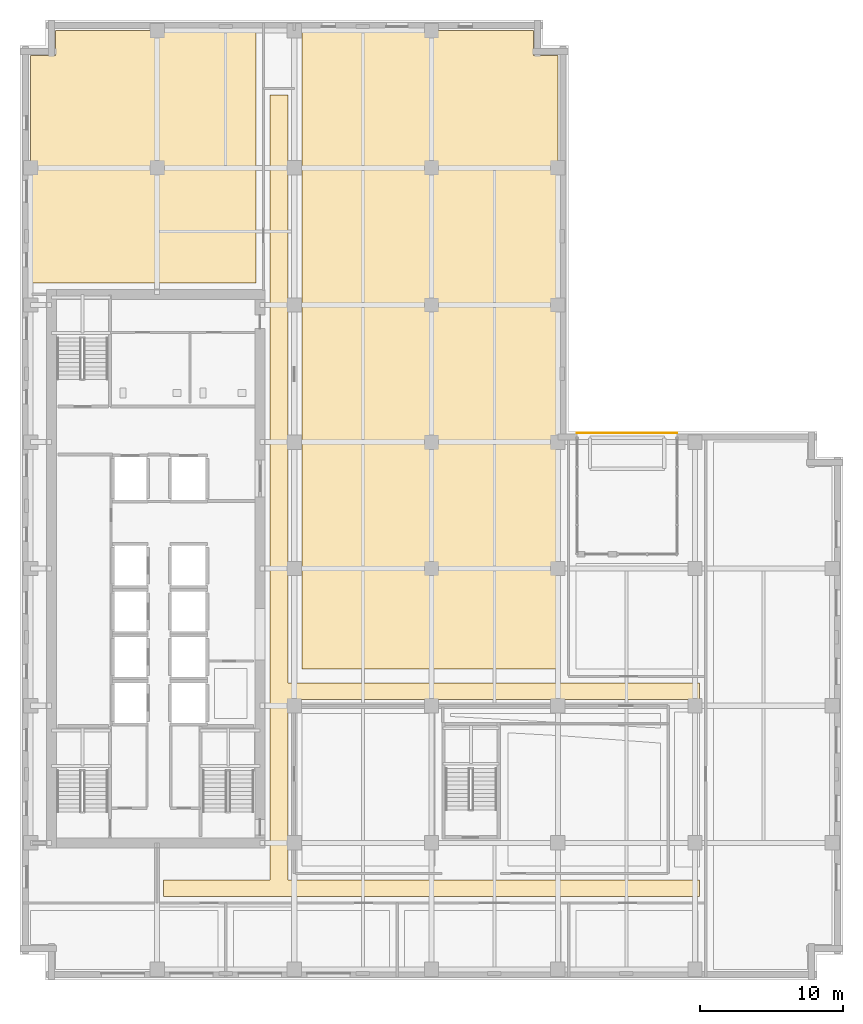
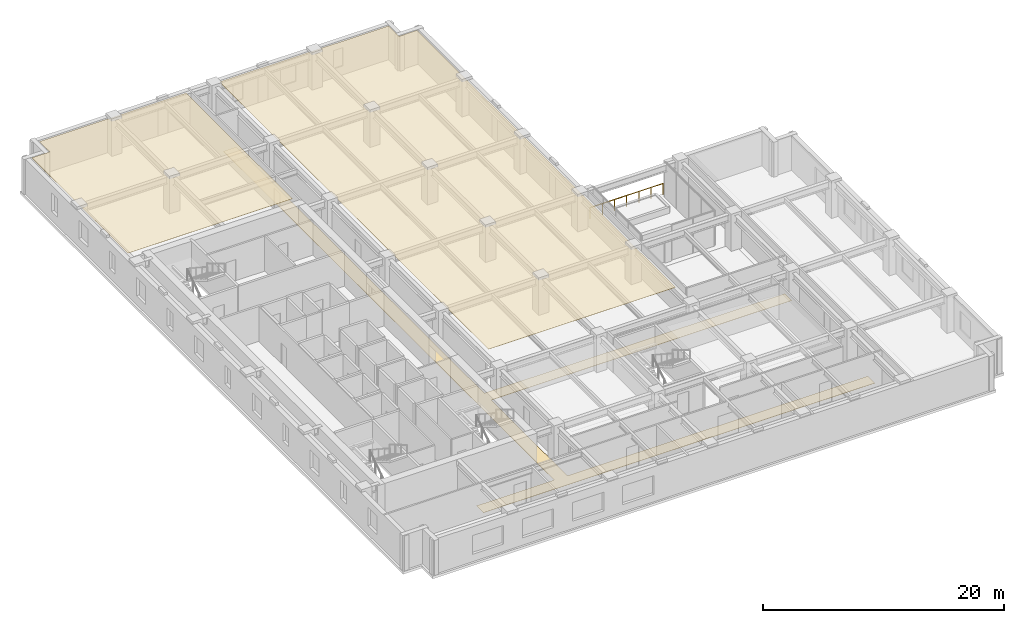
# One storey, part 15 of 16: 3 coverings, 1 railing.
"""IFC4 building model written with IfcOpenShell, lengths in metres."""

from ifc_helpers import new_model, si_unit, direction, frame, origin, origin_2d, place, context, subcontext, project, spatial, polyline, circle, outline, extrude, material, layer, layer_set, type_object, element, save


model = new_model("IFC4")

# Units and contexts
model_context = context("Model", 3, precision=1e-05, world=origin(), true_north=direction((0.0, 1.0)))
body_context = subcontext(model_context, "Body", "Model", "MODEL_VIEW")
ifc_project = project(units=[si_unit("LENGTHUNIT", "METRE"), si_unit("AREAUNIT", "SQUARE_METRE"), si_unit("VOLUMEUNIT", "CUBIC_METRE"), si_unit("PLANEANGLEUNIT", "RADIAN"), si_unit("MASSUNIT", "GRAM", prefix="KILO")], contexts=[model_context])

# Site, building, storey
site_placement = place(None, origin())
site = spatial("IfcSite", under=ifc_project, at=site_placement, CompositionType="ELEMENT")
building_placement = place(site_placement, origin())
building = spatial("IfcBuilding", under=site, at=building_placement, Name="Norrvale University Quadrangle", CompositionType="ELEMENT")
storey_placement = place(building_placement, frame((0.0, 0.0, 112.800048828125)))
storey = spatial("IfcBuildingStorey", under=building, at=storey_placement, Name="L28", CompositionType="ELEMENT", Elevation=112.800048828125)

# Coverings
ifc_material_1 = material(Name="Perforated Acoustic Mineral Ceiling")
ifc_layer_1 = layer(ifc_material_1, 0.02490234375, Name="Perforated Acoustic Mineral Ceiling")
ifc_layer_set_1 = layer_set([ifc_layer_1], Name="Perforated Acoustic Mineral Ceiling")
covering_type_1 = type_object("IfcCoveringType", Name="Covering Acoustic Ceiling 25", PredefinedType="CEILING", material=ifc_layer_set_1)
covering_1_placement = place(storey_placement, frame((0.0, 0.0, 3.514892578125)))
element("IfcCovering", 1, at=covering_1_placement, inside=storey, type_object=covering_type_1, Name="Acoustic Ceiling RM-L28-NE01", PredefinedType="CEILING", context=body_context, shape_type="SweptSolid", body=[
    extrude(outline(polyline([(19.72998046875, 21.780029296875), (19.72998046875, 66.449951171875), (35.929931640625, 66.449951171875), (35.929931640625, 64.72998046875), (37.64990234375, 64.72998046875), (37.64990234375, 21.780029296875), (19.72998046875, 21.780029296875)])), origin(), (0.0, 0.0, 1.0), 0.025146484375),
])
covering_2_placement = place(storey_placement, frame((0.0, 0.0, 3.514892578125)))
element("IfcCovering", 2, at=covering_2_placement, inside=storey, type_object=covering_type_1, Name="Acoustic Ceiling RM-L28-NW01", PredefinedType="CEILING", context=body_context, shape_type="SweptSolid", body=[
    extrude(outline(polyline([(16.52001953125, 66.449951171875), (16.52001953125, 48.780029296875), (0.75, 48.780029296875), (0.75, 64.72998046875), (2.469970703125, 64.72998046875), (2.469970703125, 66.449951171875), (16.52001953125, 66.449951171875)])), origin(), (0.0, 0.0, 1.0), 0.025146484375),
])
ifc_material_2 = material(Name="Polished Terrazzo Flooring")
ifc_layer_2 = layer(ifc_material_2, 0.02490234375, Name="Polished Terrazzo Flooring")
ifc_layer_set_2 = layer_set([ifc_layer_2], Name="Polished Terrazzo Flooring")
covering_type_2 = type_object("IfcCoveringType", Name="Covering Terrazzo Floor 30", PredefinedType="FLOORING", material=ifc_layer_set_2)
covering_3_placement = place(storey_placement, origin())
element("IfcCovering", 3, at=covering_3_placement, inside=storey, type_object=covering_type_2, Name="Terrazzo Flooring RM-L28-CORR1", PredefinedType="FLOORING", context=body_context, shape_type="SweptSolid", body=[
    extrude(outline(polyline([(10.050048828125, 5.85009765625), (10.050048828125, 7.0), (17.5, 7.0), (17.5, 61.949951171875), (18.75, 61.949951171875), (18.75, 20.800048828125), (47.550048828125, 20.800048828125), (47.550048828125, 19.64990234375), (18.75, 19.64990234375), (18.75, 7.0), (47.550048828125, 7.0), (47.550048828125, 5.85009765625), (10.050048828125, 5.85009765625)])), origin(), (0.0, 0.0, 1.0), 0.02490234375),
])

# Railing
ifc_material_3 = material(Name="Stainless Steel 316L Balustrade", Category="steel")
railing_type = type_object("IfcRailingType", Name="Railing Terrace Guard 1150", PredefinedType="BALUSTRADE", material=ifc_material_3)
railing_placement = place(storey_placement, frame((39.0, 38.300048828125, 0.0)))
element("IfcRailing", 4, at=railing_placement, inside=storey, type_object=railing_type, Name="Sky Garden Facade Balustrade L28", PredefinedType="BALUSTRADE", context=body_context, shape_type="SweptSolid", body=[
    extrude(circle(Radius=0.02392578125, at=origin_2d()), frame((0.0, 0.0, 1.1259765625), z_axis=(1.0, 0.0, 0.0), x_axis=(0.0, 1.0, 0.0)), (0.0, 0.0, 1.0), 7.0),
    extrude(circle(Radius=0.02099609375, at=origin_2d()), origin(), (0.0, 0.0, 1.0), 1.101806640625),
    extrude(circle(Radius=0.02099609375, at=origin_2d()), frame((1.166748046875, 0.0, 0.0)), (0.0, 0.0, 1.0), 1.101806640625),
    extrude(circle(Radius=0.02099609375, at=origin_2d()), frame((2.333251953125, 0.0, 0.0)), (0.0, 0.0, 1.0), 1.101806640625),
    extrude(circle(Radius=0.02099609375, at=origin_2d()), frame((3.5, 0.0, 0.0)), (0.0, 0.0, 1.0), 1.101806640625),
    extrude(circle(Radius=0.02099609375, at=origin_2d()), frame((4.666748046875, 0.0, 0.0)), (0.0, 0.0, 1.0), 1.101806640625),
    extrude(circle(Radius=0.02099609375, at=origin_2d()), frame((5.833251953125, 0.0, 0.0)), (0.0, 0.0, 1.0), 1.101806640625),
    extrude(circle(Radius=0.02099609375, at=origin_2d()), frame((7.0, 0.0, 0.0)), (0.0, 0.0, 1.0), 1.101806640625),
])

save(model, "model.ifc")
